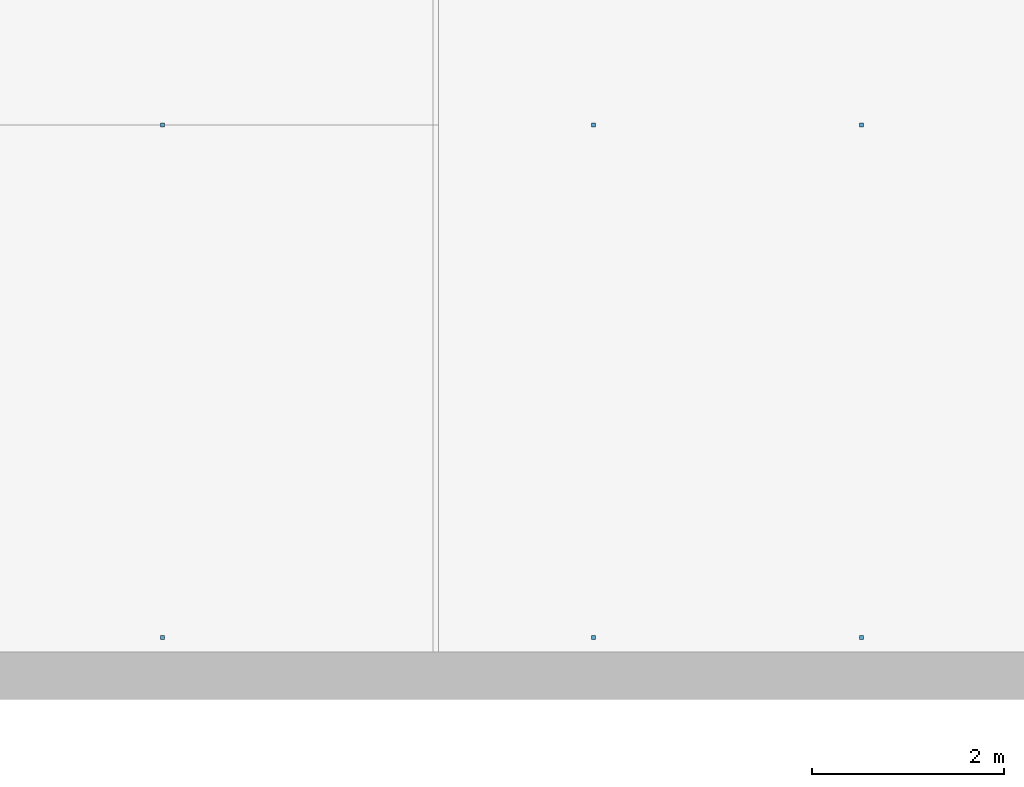
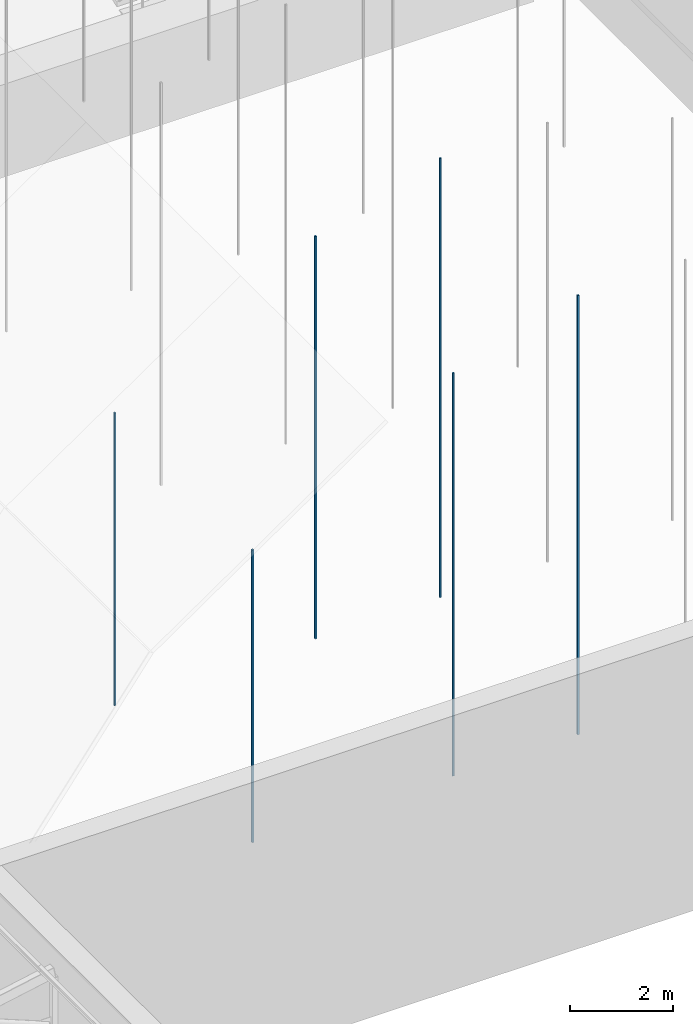
# One storey, part 70 of 118: 6 discrete accessories.
"""IFC4 building model written with IfcOpenShell, lengths in metres."""

from ifc_helpers import new_model, si_unit, direction, frame, origin, origin_2d, place, context, subcontext, project, spatial, rectangle, extrude, element, save


model = new_model("IFC4")

# Units and contexts
model_context = context("Model", 3, precision=1e-05, world=origin(), true_north=direction((0.0, 1.0)))
body_context = subcontext(model_context, "Body", "Model", "MODEL_VIEW")
ifc_project = project(units=[si_unit("LENGTHUNIT", "METRE"), si_unit("AREAUNIT", "SQUARE_METRE"), si_unit("VOLUMEUNIT", "CUBIC_METRE"), si_unit("PLANEANGLEUNIT", "RADIAN"), si_unit("MASSUNIT", "GRAM", prefix="KILO")], contexts=[model_context])

# Site, building, storey
site_placement = place(None, origin())
site = spatial("IfcSite", under=ifc_project, at=site_placement, CompositionType="ELEMENT")
building_placement = place(site_placement, origin())
building = spatial("IfcBuilding", under=site, at=building_placement, Name="Saffron Lane Theatres", CompositionType="ELEMENT")
storey_placement = place(building_placement, frame((0.0, 0.0, 16.5)))
storey = spatial("IfcBuildingStorey", under=building, at=storey_placement, Name="L03", CompositionType="ELEMENT", Elevation=16.5)

# Discrete accessories
discrete_accessory_1_placement = place(storey_placement, frame((24.5, 54.64990234375, 4.56005859375), z_axis=(0.0, 0.0, 1.0), x_axis=(1.0, 0.0, 0.0)))
element("IfcDiscreteAccessory", 1, at=discrete_accessory_1_placement, inside=storey, Name="Ceiling hanger", PredefinedType="BRACKET", context=body_context, shape_type="SweptSolid", body=[
    extrude(rectangle(XDim=0.0400390625, YDim=0.0400390625, at=origin_2d()), origin(), (0.0, 0.0, 1.0), 6.9375),
])
discrete_accessory_2_placement = place(storey_placement, frame((29.0, 54.64990234375, 4.56005859375), z_axis=(0.0, 0.0, 1.0), x_axis=(1.0, 0.0, 0.0)))
element("IfcDiscreteAccessory", 2, at=discrete_accessory_2_placement, inside=storey, Name="Ceiling hanger", PredefinedType="BRACKET", context=body_context, shape_type="SweptSolid", body=[
    extrude(rectangle(XDim=0.0400390625, YDim=0.0400390625, at=origin_2d()), origin(), (0.0, 0.0, 1.0), 9.54833984375),
])
discrete_accessory_3_placement = place(storey_placement, frame((31.800048828125, 54.64990234375, 4.56005859375), z_axis=(0.0, 0.0, 1.0), x_axis=(1.0, 0.0, 0.0)))
element("IfcDiscreteAccessory", 3, at=discrete_accessory_3_placement, inside=storey, Name="Ceiling hanger", PredefinedType="BRACKET", context=body_context, shape_type="SweptSolid", body=[
    extrude(rectangle(XDim=0.0400390625, YDim=0.0400390625, at=origin_2d()), origin(), (0.0, 0.0, 1.0), 10.412841796875),
])
discrete_accessory_4_placement = place(storey_placement, frame((24.5, 60.0, 4.56005859375), z_axis=(0.0, 0.0, 1.0), x_axis=(1.0, 0.0, 0.0)))
element("IfcDiscreteAccessory", 4, at=discrete_accessory_4_placement, inside=storey, Name="Ceiling hanger", PredefinedType="BRACKET", context=body_context, shape_type="SweptSolid", body=[
    extrude(rectangle(XDim=0.0400390625, YDim=0.0400390625, at=origin_2d()), origin(), (0.0, 0.0, 1.0), 6.9375),
])
discrete_accessory_5_placement = place(storey_placement, frame((29.0, 60.0, 4.56005859375), z_axis=(0.0, 0.0, 1.0), x_axis=(1.0, 0.0, 0.0)))
element("IfcDiscreteAccessory", 5, at=discrete_accessory_5_placement, inside=storey, Name="Ceiling hanger", PredefinedType="BRACKET", context=body_context, shape_type="SweptSolid", body=[
    extrude(rectangle(XDim=0.0400390625, YDim=0.0400390625, at=origin_2d()), origin(), (0.0, 0.0, 1.0), 9.54833984375),
])
discrete_accessory_6_placement = place(storey_placement, frame((31.800048828125, 60.0, 4.56005859375), z_axis=(0.0, 0.0, 1.0), x_axis=(1.0, 0.0, 0.0)))
element("IfcDiscreteAccessory", 6, at=discrete_accessory_6_placement, inside=storey, Name="Ceiling hanger", PredefinedType="BRACKET", context=body_context, shape_type="SweptSolid", body=[
    extrude(rectangle(XDim=0.0400390625, YDim=0.0400390625, at=origin_2d()), origin(), (0.0, 0.0, 1.0), 10.412841796875),
])

save(model, "model.ifc")
